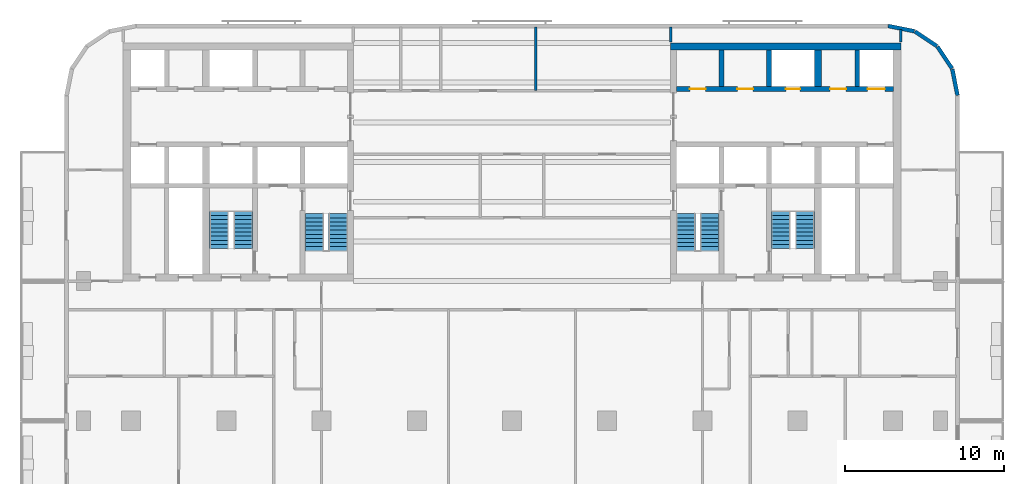
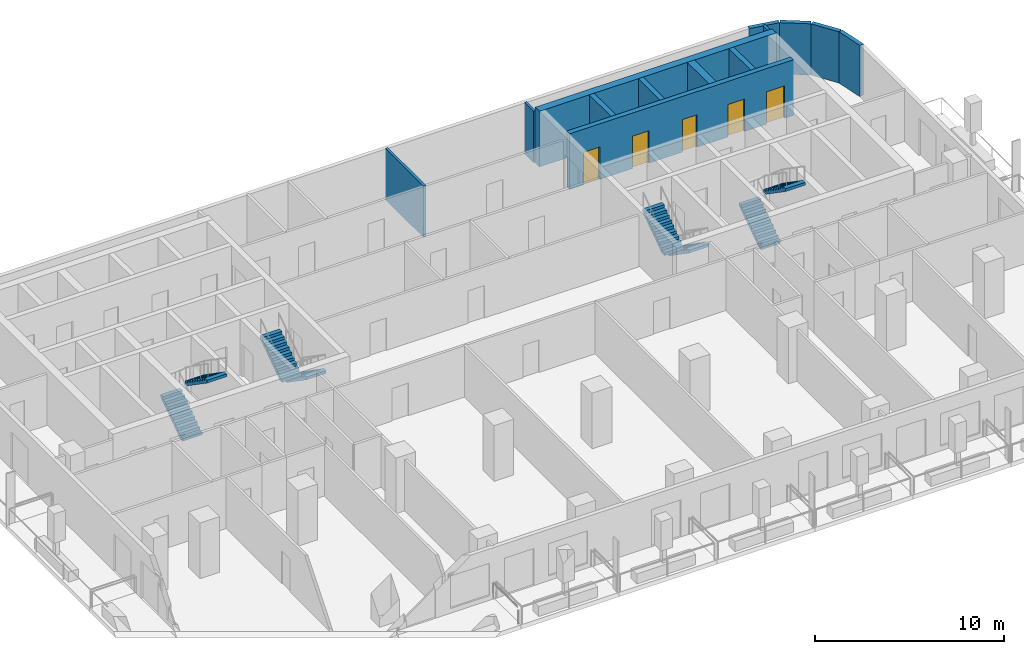
# One storey, part 7 of 11: 13 walls, 8 stair flights, 5 doors, 5 openings, 4 elements without a shape of their own.
"""IFC4 building model written with IfcOpenShell, lengths in metres."""

from ifc_helpers import new_model, si_unit, direction, frame, frame_2d, origin, place, context, subcontext, project, spatial, polyline, rectangle, outline, extrude, material, layer, layer_set, type_object, element, fill, aggregate, save


model = new_model("IFC4")

# Units and contexts
model_context = context("Model", 3, precision=1e-05, world=origin(), true_north=direction((0.0, 1.0)))
body_context = subcontext(model_context, "Body", "Model", "MODEL_VIEW")
ifc_project = project(units=[si_unit("LENGTHUNIT", "METRE"), si_unit("AREAUNIT", "SQUARE_METRE"), si_unit("VOLUMEUNIT", "CUBIC_METRE"), si_unit("PLANEANGLEUNIT", "RADIAN"), si_unit("MASSUNIT", "GRAM", prefix="KILO")], contexts=[model_context])

# Site, building, storey
site_placement = place(None, origin())
site = spatial("IfcSite", under=ifc_project, at=site_placement, CompositionType="ELEMENT")
building_placement = place(site_placement, origin())
building = spatial("IfcBuilding", under=site, at=building_placement, Name="Torana Hotel and Residences", CompositionType="ELEMENT")
storey_placement = place(building_placement, frame((0.0, 0.0, 145.199951171875)))
storey = spatial("IfcBuildingStorey", under=building, at=storey_placement, Name="L37", CompositionType="ELEMENT", Elevation=145.199951171875)

# Wall, openings, doors
ifc_material_1 = material(Name="Concrete C70/85", Category="concrete")
ifc_layer_1 = layer(ifc_material_1, 0.300048828125)
ifc_layer_set_1 = layer_set([ifc_layer_1], Name="CORE WALL 300 C70/85")
wall_type_1 = type_object("IfcWallType", Name="CORE WALL 300 C70/85", PredefinedType="SHEAR", material=ifc_layer_set_1)
wall_1_placement = place(storey_placement, frame((10.35009765625, -2.89990234375, 0.0), z_axis=(0.0, 0.0, 1.0), x_axis=(1.0, 0.0, 0.0)))
wall_1 = element("IfcWall", 1, at=wall_1_placement, inside=storey, type_object=wall_type_1, Name="Core wall E row-N", PredefinedType="SHEAR", context=body_context, shape_type="SweptSolid", body=[
    extrude(rectangle(XDim=13.699951171875, YDim=0.300048828125, at=frame_2d((6.85009765625, 0.0))), origin(), (0.0, 0.0, 1.0), 3.60009765625),
])
opening_1_placement = place(wall_1_placement, frame((12.050048828125, 0.0, 0.0)))
opening_1 = element("IfcOpeningElement", 2, at=opening_1_placement, cuts=wall_1, Name="Opening LD", PredefinedType="OPENING", context=body_context, shape_type="SweptSolid", body=[
    extrude(rectangle(XDim=1.10009765625, YDim=2.10009765625, at=frame_2d((0.550048828125, 1.050048828125))), frame((0.0, 0.159912109375, 0.0), z_axis=(0.0, -1.0, 0.0), x_axis=(1.0, 0.0, 0.0)), (0.0, 0.0, 1.0), 0.320068359375),
])
opening_2_placement = place(wall_1_placement, frame((6.89990234375, 0.0, 0.0)))
opening_2 = element("IfcOpeningElement", 3, at=opening_2_placement, cuts=wall_1, Name="Opening L37-21", PredefinedType="OPENING", context=body_context, shape_type="SweptSolid", body=[
    extrude(rectangle(XDim=0.89990234375, YDim=2.10009765625, at=frame_2d((0.449951171875, 1.050048828125))), frame((0.0, 0.159912109375, 0.0), z_axis=(0.0, -1.0, 0.0), x_axis=(1.0, 0.0, 0.0)), (0.0, 0.0, 1.0), 0.320068359375),
])
opening_3_placement = place(wall_1_placement, frame((0.85009765625, 0.0, 0.0)))
opening_3 = element("IfcOpeningElement", 4, at=opening_3_placement, cuts=wall_1, Name="Opening L37-22", PredefinedType="OPENING", context=body_context, shape_type="SweptSolid", body=[
    extrude(rectangle(XDim=1.0, YDim=2.10009765625, at=frame_2d((0.5, 1.050048828125))), frame((0.0, 0.159912109375, 0.0), z_axis=(0.0, -1.0, 0.0), x_axis=(1.0, 0.0, 0.0)), (0.0, 0.0, 1.0), 0.320068359375),
])
opening_4_placement = place(wall_1_placement, frame((3.85009765625, 0.0, 0.0)))
opening_4 = element("IfcOpeningElement", 5, at=opening_4_placement, cuts=wall_1, Name="Opening L37-23", PredefinedType="OPENING", context=body_context, shape_type="SweptSolid", body=[
    extrude(rectangle(XDim=1.0, YDim=2.10009765625, at=frame_2d((0.5, 1.050048828125))), frame((0.0, 0.159912109375, 0.0), z_axis=(0.0, -1.0, 0.0), x_axis=(1.0, 0.0, 0.0)), (0.0, 0.0, 1.0), 0.320068359375),
])
opening_5_placement = place(wall_1_placement, frame((9.699951171875, 0.0, 0.0)))
opening_5 = element("IfcOpeningElement", 6, at=opening_5_placement, cuts=wall_1, Name="Opening L37-24", PredefinedType="OPENING", context=body_context, shape_type="SweptSolid", body=[
    extrude(rectangle(XDim=1.0, YDim=2.10009765625, at=frame_2d((0.5, 1.050048828125))), frame((0.0, 0.159912109375, 0.0), z_axis=(0.0, -1.0, 0.0), x_axis=(1.0, 0.0, 0.0)), (0.0, 0.0, 1.0), 0.320068359375),
])
ifc_material_2 = material(Name="Steel S235", Category="steel")
door_type_1 = type_object("IfcDoorType", Name="CORE ROOM FIRE DOOR D14 1000x2100", OperationType="SINGLE_SWING_LEFT", PredefinedType="DOOR", material=ifc_material_2)
door_1_placement = place(opening_3_placement, origin())
door_1 = element("IfcDoor", 7, at=door_1_placement, inside=storey, type_object=door_type_1, Name="N0 door L37", OperationType="SINGLE_SWING_RIGHT", OverallHeight=2.10009765625, OverallWidth=1.0, PredefinedType="DOOR", context=body_context, shape_type="SweptSolid", body=[
    extrude(rectangle(XDim=1.0, YDim=2.10009765625, at=frame_2d((0.5, 1.050048828125))), frame((0.0, 0.02490234375, 0.0), z_axis=(0.0, -1.0, 0.0), x_axis=(1.0, 0.0, 0.0)), (0.0, 0.0, 1.0), 0.050048828125),
])
fill(opening_3, door_1)
door_2_placement = place(opening_4_placement, origin())
door_2 = element("IfcDoor", 8, at=door_2_placement, inside=storey, type_object=door_type_1, Name="N1 door L37", OperationType="SINGLE_SWING_RIGHT", OverallHeight=2.10009765625, OverallWidth=1.0, PredefinedType="DOOR", context=body_context, shape_type="SweptSolid", body=[
    extrude(rectangle(XDim=1.0, YDim=2.10009765625, at=frame_2d((0.5, 1.050048828125))), frame((0.0, 0.02490234375, 0.0), z_axis=(0.0, -1.0, 0.0), x_axis=(1.0, 0.0, 0.0)), (0.0, 0.0, 1.0), 0.050048828125),
])
fill(opening_4, door_2)
door_3_placement = place(opening_5_placement, origin())
door_3 = element("IfcDoor", 9, at=door_3_placement, inside=storey, type_object=door_type_1, Name="Freed-S2 door L37", OperationType="SINGLE_SWING_RIGHT", OverallHeight=2.10009765625, OverallWidth=1.0, PredefinedType="DOOR", context=body_context, shape_type="SweptSolid", body=[
    extrude(rectangle(XDim=1.0, YDim=2.10009765625, at=frame_2d((0.5, 1.050048828125))), frame((0.0, 0.02490234375, 0.0), z_axis=(0.0, -1.0, 0.0), x_axis=(1.0, 0.0, 0.0)), (0.0, 0.0, 1.0), 0.050048828125),
])
fill(opening_5, door_3)
ifc_material_3 = material(Name="Stainless steel 316", Category="steel")
door_type_2 = type_object("IfcDoorType", Name="LIFT LANDING DOOR LD 1100x2100", OperationType="DOUBLE_DOOR_SLIDING", PredefinedType="USERDEFINED", material=ifc_material_3)
door_4_placement = place(opening_1_placement, origin())
door_4 = element("IfcDoor", 10, at=door_4_placement, inside=storey, type_object=door_type_2, Name="Lift landing door M3 L37", ObjectType="LIFT LANDING DOOR", OperationType="DOUBLE_DOOR_SLIDING", OverallHeight=2.10009765625, OverallWidth=1.10009765625, PredefinedType="USERDEFINED", context=body_context, shape_type="SweptSolid", body=[
    extrude(rectangle(XDim=1.10009765625, YDim=2.10009765625, at=frame_2d((0.550048828125, 1.050048828125))), frame((0.0, 0.02490234375, 0.0), z_axis=(0.0, -1.0, 0.0), x_axis=(1.0, 0.0, 0.0)), (0.0, 0.0, 1.0), 0.050048828125),
])
fill(opening_1, door_4)
ifc_material_4 = material(Name="Steel S235", Category="steel")
door_type_3 = type_object("IfcDoorType", Name="RISER ACCESS DOOR D5 900x2100", OperationType="SINGLE_SWING_LEFT", PredefinedType="DOOR", material=ifc_material_4)
door_5_placement = place(opening_2_placement, origin())
door_5 = element("IfcDoor", 11, at=door_5_placement, inside=storey, type_object=door_type_3, Name="N2 door L37", OperationType="SINGLE_SWING_RIGHT", OverallHeight=2.10009765625, OverallWidth=0.89990234375, PredefinedType="DOOR", context=body_context, shape_type="SweptSolid", body=[
    extrude(rectangle(XDim=0.89990234375, YDim=2.10009765625, at=frame_2d((0.449951171875, 1.050048828125))), frame((0.0, 0.02490234375, 0.0), z_axis=(0.0, -1.0, 0.0), x_axis=(1.0, 0.0, 0.0)), (0.0, 0.0, 1.0), 0.050048828125),
])
fill(opening_2, door_5)

# Walls
for number, where, z_axis, x_axis, name in (
    (12, (13.199951171875, -2.75, 0.0), (0.0, 0.0, 1.0), (0.0, 1.0, 0.0), "Core wall E x3.05-N"),
    (13, (16.199951171875, -2.75, 0.0), (0.0, 0.0, 1.0), (0.0, 1.0, 0.0), "Core wall E x6.05-N"),
    (14, (21.75, -2.75, 0.0), (0.0, 0.0, 1.0), (0.0, 1.0, 0.0), "Core wall E mm-N"),
):
    element("IfcWall", number, at=place(storey_placement, frame(where, z_axis=z_axis, x_axis=x_axis)), inside=storey, type_object=wall_type_1, Name=name, PredefinedType="SHEAR", context=body_context, shape_type="SweptSolid", body=[
        extrude(rectangle(XDim=2.300048828125, YDim=0.300048828125, at=frame_2d((1.14990234375, 0.0))), origin(), (0.0, 0.0, 1.0), 3.60009765625),
    ])
ifc_material_5 = material(Name="Concrete C70/85", Category="concrete")
ifc_layer_2 = layer(ifc_material_5, 0.449951171875)
ifc_layer_set_2 = layer_set([ifc_layer_2], Name="CORE WALL 450 C70/85")
wall_type_2 = type_object("IfcWallType", Name="CORE WALL 450 C70/85", PredefinedType="SHEAR", material=ifc_layer_set_2)
wall_2_placement = place(storey_placement, frame((10.0, -0.22509765625, 0.0), z_axis=(0.0, 0.0, 1.0), x_axis=(1.0, 0.0, 0.0)))
element("IfcWall", 15, at=wall_2_placement, inside=storey, type_object=wall_type_2, Name="Core wall E rear", PredefinedType="SHEAR", context=body_context, shape_type="SweptSolid", body=[
    extrude(rectangle(XDim=14.5, YDim=0.449951171875, at=frame_2d((7.25, 0.0))), origin(), (0.0, 0.0, 1.0), 3.60009765625),
])
wall_3_placement = place(storey_placement, frame((19.27490234375, -2.75, 0.0), z_axis=(0.0, 0.0, 1.0), x_axis=(0.0, 1.0, 0.0)))
element("IfcWall", 16, at=wall_3_placement, inside=storey, type_object=wall_type_2, Name="Core wall E hm-N", PredefinedType="SHEAR", context=body_context, shape_type="SweptSolid", body=[
    extrude(rectangle(XDim=2.300048828125, YDim=0.449951171875, at=frame_2d((1.14990234375, 0.0))), origin(), (0.0, 0.0, 1.0), 3.60009765625),
])
ifc_material_6 = material(Name="Black aluminium composite panel", Category="aluminium")
ifc_layer_3 = layer(ifc_material_6, 0.00390625, Name="Cladding", Category="cladding")
ifc_material_7 = material(Name="Ventilated air cavity")
ifc_layer_4 = layer(ifc_material_7, 0.0400390625, Name="Ventilated cavity", Category="cavity")
ifc_material_8 = material(Name="Mineral wool insulation")
ifc_layer_5 = layer(ifc_material_8, 0.090087890625, Name="Insulation", Category="insulation")
ifc_material_9 = material(Name="Steel S280GD", Category="steel")
ifc_layer_6 = layer(ifc_material_9, 0.092041015625, Name="Steel stud frame", Category="structure")
ifc_material_10 = material(Name="Fire rated plasterboard")
ifc_layer_7 = layer(ifc_material_10, 0.011962890625, Name="Inner board", Category="finish")
ifc_layer_8 = layer(ifc_material_10, 0.011962890625, Name="Second board", Category="finish")
ifc_layer_set_3 = layer_set([ifc_layer_3, ifc_layer_4, ifc_layer_5, ifc_layer_6, ifc_layer_7, ifc_layer_8], Name="EW1 EXTERNAL WALL BLACK METAL CLAD 250")
wall_type_3 = type_object("IfcWallType", Name="EW1 EXTERNAL WALL BLACK METAL CLAD 250", PredefinedType="SOLIDWALL", material=ifc_layer_set_3)
wall_4_placement = place(storey_placement, frame((28.072509765625, -3.30029296875, 0.0), z_axis=(0.0, 0.0, 1.0), x_axis=(-0.194999110559, 0.980803419081, 0.0)))
element("IfcWall", 17, at=wall_4_placement, inside=storey, type_object=wall_type_3, Name="External wall L37 e0.0", PredefinedType="SOLIDWALL", context=body_context, shape_type="SweptSolid", body=[
    extrude(rectangle(XDim=1.681396484375, YDim=0.25, at=frame_2d((0.8408203125, 0.0))), origin(), (0.0, 0.0, 1.0), 3.320068359375),
])
for number, where, z_axis, x_axis, name in (
    (18, (27.725830078125, -1.60595703125, 0.0), (0.0, 0.0, 1.0), (-0.55555029066, 0.831482937015, 0.0), "External wall L37 e0.1"),
    (19, (26.771240234375, -0.1943359375, 0.0), (0.0, 0.0, 1.0), (-0.831482937015, 0.55555029066, 0.0), "External wall L37 e0.2"),
):
    element("IfcWall", number, at=place(storey_placement, frame(where, z_axis=z_axis, x_axis=x_axis)), inside=storey, type_object=wall_type_3, Name=name, PredefinedType="SOLIDWALL", context=body_context, shape_type="SweptSolid", body=[
        extrude(rectangle(XDim=1.65625, YDim=0.25, at=frame_2d((0.828125, 0.0))), origin(), (0.0, 0.0, 1.0), 3.320068359375),
    ])
wall_5_placement = place(storey_placement, frame((25.348876953125, 0.74462890625, 0.0), z_axis=(0.0, 0.0, 1.0), x_axis=(-0.980803419081, 0.194999110559, 0.0)))
element("IfcWall", 20, at=wall_5_placement, inside=storey, type_object=wall_type_3, Name="External wall L37 e0.3", PredefinedType="SOLIDWALL", context=body_context, shape_type="SweptSolid", body=[
    extrude(rectangle(XDim=1.681396484375, YDim=0.25, at=frame_2d((0.8408203125, 0.0))), origin(), (0.0, 0.0, 1.0), 3.320068359375),
])
ifc_material_11 = material(Name="Gypsum plasterboard")
ifc_layer_9 = layer(ifc_material_11, 0.012451171875, Name="Plasterboard", Category="finish")
ifc_layer_10 = layer(ifc_material_11, 0.012451171875, Name="Plasterboard", Category="finish")
ifc_layer_11 = layer(ifc_material_9, 0.10009765625, Name="Steel studs with mineral wool", Category="insulation")
ifc_layer_12 = layer(ifc_material_11, 0.012451171875, Name="Plasterboard", Category="finish")
ifc_layer_13 = layer(ifc_material_11, 0.012451171875, Name="Plasterboard", Category="finish")
ifc_layer_set_4 = layer_set([ifc_layer_9, ifc_layer_10, ifc_layer_11, ifc_layer_12, ifc_layer_13], Name="PARTITION 150 PLASTERBOARD")
wall_type_4 = type_object("IfcWallType", Name="PARTITION 150 PLASTERBOARD", PredefinedType="PARTITIONING", material=ifc_layer_set_4)
wall_6_placement = place(storey_placement, frame((24.5, 0.050048828125, 0.0), z_axis=(0.0, 0.0, 1.0), x_axis=(0.0, 1.0, 0.0)))
element("IfcWall", 21, at=wall_6_placement, inside=storey, type_object=wall_type_4, Name="Partition L37", PredefinedType="PARTITIONING", context=body_context, shape_type="SweptSolid", body=[
    extrude(rectangle(XDim=0.807373046875, YDim=0.14990234375, at=frame_2d((0.40380859375, 0.0))), origin(), (0.0, 0.0, 1.0), 3.320068359375),
])
wall_7_placement = place(storey_placement, frame((10.0, 0.050048828125, 0.0), z_axis=(0.0, 0.0, 1.0), x_axis=(0.0, 1.0, 0.0)))
element("IfcWall", 22, at=wall_7_placement, inside=storey, type_object=wall_type_4, Name="Partition L37", PredefinedType="PARTITIONING", context=body_context, shape_type="SweptSolid", body=[
    extrude(rectangle(XDim=0.969970703125, YDim=0.14990234375, at=frame_2d((0.48486328125, 0.0))), origin(), (0.0, 0.0, 1.0), 3.320068359375),
])
wall_8_placement = place(storey_placement, frame((1.5, -3.0, 0.0), z_axis=(0.0, 0.0, 1.0), x_axis=(0.0, 1.0, 0.0)))
element("IfcWall", 23, at=wall_8_placement, inside=storey, type_object=wall_type_4, Name="Partition L37", PredefinedType="PARTITIONING", context=body_context, shape_type="SweptSolid", body=[
    extrude(rectangle(XDim=4.02001953125, YDim=0.14990234375, at=frame_2d((2.010009765625, 0.0))), origin(), (0.0, 0.0, 1.0), 3.320068359375),
])

# Stair, stair flights
ifc_material_12 = material(Name="Concrete C40/50 precast", Category="concrete")
stair_type_1 = type_object("IfcStairType", Name="STAIR ST1 HALF TURN 1200", PredefinedType="HALF_TURN_STAIR", material=ifc_material_12)
stair_1_placement = place(storey_placement, origin())
stair_1 = element("IfcStair", 24, at=stair_1_placement, inside=storey, type_object=stair_type_1, Name="Stair ST1 L37", PredefinedType="HALF_TURN_STAIR")
ifc_material_13 = material(Name="Concrete C40/50 precast", Category="concrete")
stair_flight_type = type_object("IfcStairFlightType", Name="STAIR FLIGHT 1200 PRECAST", PredefinedType="STRAIGHT", material=ifc_material_13)
stair_flight_1_placement = place(storey_placement, frame((-10.949951171875, -10.75, 0.0), z_axis=(0.0, 0.0, 1.0), x_axis=(0.0, -1.0, 0.0)))
stair_flight_1 = element("IfcStairFlight", 25, at=stair_flight_1_placement, type_object=stair_flight_type, Name="ST1 flight 1", NumberOfRisers=10, NumberOfTreads=9, PredefinedType="STRAIGHT", RiserHeight=0.18, TreadLength=0.26, context=body_context, shape_type="SweptSolid", body=[
    extrude(outline(polyline([(0.0, 0.0), (0.0, 0.179931640625), (0.260009765625, 0.179931640625), (0.260009765625, 0.360107421875), (0.52001953125, 0.360107421875), (0.52001953125, 0.5400390625), (0.780029296875, 0.5400390625), (0.780029296875, 0.719970703125), (1.0400390625, 0.719970703125), (1.0400390625, 0.89990234375), (1.300048828125, 0.89990234375), (1.300048828125, 1.080078125), (1.56005859375, 1.080078125), (1.56005859375, 1.260009765625), (1.820068359375, 1.260009765625), (1.820068359375, 1.43994140625), (2.080078125, 1.43994140625), (2.080078125, 1.6201171875), (2.340087890625, 1.6201171875), (2.340087890625, 1.800048828125), (2.340087890625, 1.437744140625), (0.263427734375, 0.0), (0.0, 0.0)])), frame((0.0, 0.60009765625, 0.0), z_axis=(0.0, -1.0, 0.0), x_axis=(1.0, 0.0, 0.0)), (0.0, 0.0, 1.0), 1.199951171875),
])
stair_flight_2_placement = place(storey_placement, frame((-12.449951171875, -13.090087890625, 1.800048828125), z_axis=(0.0, 0.0, 1.0), x_axis=(0.0, 1.0, 0.0)))
stair_flight_2 = element("IfcStairFlight", 26, at=stair_flight_2_placement, type_object=stair_flight_type, Name="ST1 flight 2", NumberOfRisers=10, NumberOfTreads=9, PredefinedType="STRAIGHT", RiserHeight=0.18, TreadLength=0.26, context=body_context, shape_type="SweptSolid", body=[
    extrude(outline(polyline([(0.0, 0.0), (0.0, 0.179931640625), (0.260009765625, 0.179931640625), (0.260009765625, 0.360107421875), (0.52001953125, 0.360107421875), (0.52001953125, 0.5400390625), (0.780029296875, 0.5400390625), (0.780029296875, 0.719970703125), (1.0400390625, 0.719970703125), (1.0400390625, 0.89990234375), (1.300048828125, 0.89990234375), (1.300048828125, 1.080078125), (1.56005859375, 1.080078125), (1.56005859375, 1.260009765625), (1.820068359375, 1.260009765625), (1.820068359375, 1.43994140625), (2.080078125, 1.43994140625), (2.080078125, 1.6201171875), (2.340087890625, 1.6201171875), (2.340087890625, 1.800048828125), (2.340087890625, 1.437744140625), (0.263427734375, 0.0), (0.0, 0.0)])), frame((0.0, 0.60009765625, 0.0), z_axis=(0.0, -1.0, 0.0), x_axis=(1.0, 0.0, 0.0)), (0.0, 0.0, 1.0), 1.199951171875),
])
aggregate(stair_1, [stair_flight_1, stair_flight_2])

ifc_material_14 = material(Name="Concrete C40/50 precast", Category="concrete")
stair_type_2 = type_object("IfcStairType", Name="STAIR ST2 HALF TURN 1200", PredefinedType="HALF_TURN_STAIR", material=ifc_material_14)
stair_2_placement = place(storey_placement, origin())
stair_2 = element("IfcStair", 27, at=stair_2_placement, inside=storey, type_object=stair_type_2, Name="Stair ST2 L37", PredefinedType="HALF_TURN_STAIR")
stair_flight_3_placement = place(storey_placement, frame((-18.449951171875, -12.949951171875, 0.0), z_axis=(0.0, 0.0, 1.0), x_axis=(0.0, 1.0, 0.0)))
stair_flight_3 = element("IfcStairFlight", 28, at=stair_flight_3_placement, type_object=stair_flight_type, Name="ST2 flight 1", NumberOfRisers=10, NumberOfTreads=9, PredefinedType="STRAIGHT", RiserHeight=0.18, TreadLength=0.26, context=body_context, shape_type="SweptSolid", body=[
    extrude(outline(polyline([(0.0, 0.0), (0.0, 0.179931640625), (0.260009765625, 0.179931640625), (0.260009765625, 0.360107421875), (0.52001953125, 0.360107421875), (0.52001953125, 0.5400390625), (0.780029296875, 0.5400390625), (0.780029296875, 0.719970703125), (1.0400390625, 0.719970703125), (1.0400390625, 0.89990234375), (1.300048828125, 0.89990234375), (1.300048828125, 1.080078125), (1.56005859375, 1.080078125), (1.56005859375, 1.260009765625), (1.820068359375, 1.260009765625), (1.820068359375, 1.43994140625), (2.080078125, 1.43994140625), (2.080078125, 1.6201171875), (2.340087890625, 1.6201171875), (2.340087890625, 1.800048828125), (2.340087890625, 1.437744140625), (0.263427734375, 0.0), (0.0, 0.0)])), frame((0.0, 0.60009765625, 0.0), z_axis=(0.0, -1.0, 0.0), x_axis=(1.0, 0.0, 0.0)), (0.0, 0.0, 1.0), 1.199951171875),
])
stair_flight_4_placement = place(storey_placement, frame((-16.949951171875, -10.610107421875, 1.800048828125), z_axis=(0.0, 0.0, 1.0), x_axis=(0.0, -1.0, 0.0)))
stair_flight_4 = element("IfcStairFlight", 29, at=stair_flight_4_placement, type_object=stair_flight_type, Name="ST2 flight 2", NumberOfRisers=10, NumberOfTreads=9, PredefinedType="STRAIGHT", RiserHeight=0.18, TreadLength=0.26, context=body_context, shape_type="SweptSolid", body=[
    extrude(outline(polyline([(0.0, 0.0), (0.0, 0.179931640625), (0.260009765625, 0.179931640625), (0.260009765625, 0.360107421875), (0.52001953125, 0.360107421875), (0.52001953125, 0.5400390625), (0.780029296875, 0.5400390625), (0.780029296875, 0.719970703125), (1.0400390625, 0.719970703125), (1.0400390625, 0.89990234375), (1.300048828125, 0.89990234375), (1.300048828125, 1.080078125), (1.56005859375, 1.080078125), (1.56005859375, 1.260009765625), (1.820068359375, 1.260009765625), (1.820068359375, 1.43994140625), (2.080078125, 1.43994140625), (2.080078125, 1.6201171875), (2.340087890625, 1.6201171875), (2.340087890625, 1.800048828125), (2.340087890625, 1.437744140625), (0.263427734375, 0.0), (0.0, 0.0)])), frame((0.0, 0.60009765625, 0.0), z_axis=(0.0, -1.0, 0.0), x_axis=(1.0, 0.0, 0.0)), (0.0, 0.0, 1.0), 1.199951171875),
])
aggregate(stair_2, [stair_flight_3, stair_flight_4])

ifc_material_15 = material(Name="Concrete C40/50 precast", Category="concrete")
stair_type_3 = type_object("IfcStairType", Name="STAIR ST3 HALF TURN 1200", PredefinedType="HALF_TURN_STAIR", material=ifc_material_15)
stair_3_placement = place(storey_placement, origin())
stair_3 = element("IfcStair", 30, at=stair_3_placement, inside=storey, type_object=stair_type_3, Name="Stair ST3 L37", PredefinedType="HALF_TURN_STAIR")
stair_flight_5_placement = place(storey_placement, frame((12.449951171875, -10.75, 0.0), z_axis=(0.0, 0.0, 1.0), x_axis=(0.0, -1.0, 0.0)))
stair_flight_5 = element("IfcStairFlight", 31, at=stair_flight_5_placement, type_object=stair_flight_type, Name="ST3 flight 1", NumberOfRisers=10, NumberOfTreads=9, PredefinedType="STRAIGHT", RiserHeight=0.18, TreadLength=0.26, context=body_context, shape_type="SweptSolid", body=[
    extrude(outline(polyline([(0.0, 0.0), (0.0, 0.179931640625), (0.260009765625, 0.179931640625), (0.260009765625, 0.360107421875), (0.52001953125, 0.360107421875), (0.52001953125, 0.5400390625), (0.780029296875, 0.5400390625), (0.780029296875, 0.719970703125), (1.0400390625, 0.719970703125), (1.0400390625, 0.89990234375), (1.300048828125, 0.89990234375), (1.300048828125, 1.080078125), (1.56005859375, 1.080078125), (1.56005859375, 1.260009765625), (1.820068359375, 1.260009765625), (1.820068359375, 1.43994140625), (2.080078125, 1.43994140625), (2.080078125, 1.6201171875), (2.340087890625, 1.6201171875), (2.340087890625, 1.800048828125), (2.340087890625, 1.437744140625), (0.263427734375, 0.0), (0.0, 0.0)])), frame((0.0, 0.60009765625, 0.0), z_axis=(0.0, -1.0, 0.0), x_axis=(1.0, 0.0, 0.0)), (0.0, 0.0, 1.0), 1.199951171875),
])
stair_flight_6_placement = place(storey_placement, frame((10.949951171875, -13.090087890625, 1.800048828125), z_axis=(0.0, 0.0, 1.0), x_axis=(0.0, 1.0, 0.0)))
stair_flight_6 = element("IfcStairFlight", 32, at=stair_flight_6_placement, type_object=stair_flight_type, Name="ST3 flight 2", NumberOfRisers=10, NumberOfTreads=9, PredefinedType="STRAIGHT", RiserHeight=0.18, TreadLength=0.26, context=body_context, shape_type="SweptSolid", body=[
    extrude(outline(polyline([(0.0, 0.0), (0.0, 0.179931640625), (0.260009765625, 0.179931640625), (0.260009765625, 0.360107421875), (0.52001953125, 0.360107421875), (0.52001953125, 0.5400390625), (0.780029296875, 0.5400390625), (0.780029296875, 0.719970703125), (1.0400390625, 0.719970703125), (1.0400390625, 0.89990234375), (1.300048828125, 0.89990234375), (1.300048828125, 1.080078125), (1.56005859375, 1.080078125), (1.56005859375, 1.260009765625), (1.820068359375, 1.260009765625), (1.820068359375, 1.43994140625), (2.080078125, 1.43994140625), (2.080078125, 1.6201171875), (2.340087890625, 1.6201171875), (2.340087890625, 1.800048828125), (2.340087890625, 1.437744140625), (0.263427734375, 0.0), (0.0, 0.0)])), frame((0.0, 0.60009765625, 0.0), z_axis=(0.0, -1.0, 0.0), x_axis=(1.0, 0.0, 0.0)), (0.0, 0.0, 1.0), 1.199951171875),
])
aggregate(stair_3, [stair_flight_5, stair_flight_6])

ifc_material_16 = material(Name="Concrete C40/50 precast", Category="concrete")
stair_type_4 = type_object("IfcStairType", Name="STAIR ST4 HALF TURN 1200", PredefinedType="HALF_TURN_STAIR", material=ifc_material_16)
stair_4_placement = place(storey_placement, origin())
stair_4 = element("IfcStair", 33, at=stair_4_placement, inside=storey, type_object=stair_type_4, Name="Stair ST4 L37", PredefinedType="HALF_TURN_STAIR")
stair_flight_7_placement = place(storey_placement, frame((16.949951171875, -12.949951171875, 0.0), z_axis=(0.0, 0.0, 1.0), x_axis=(0.0, 1.0, 0.0)))
stair_flight_7 = element("IfcStairFlight", 34, at=stair_flight_7_placement, type_object=stair_flight_type, Name="ST4 flight 1", NumberOfRisers=10, NumberOfTreads=9, PredefinedType="STRAIGHT", RiserHeight=0.18, TreadLength=0.26, context=body_context, shape_type="SweptSolid", body=[
    extrude(outline(polyline([(0.0, 0.0), (0.0, 0.179931640625), (0.260009765625, 0.179931640625), (0.260009765625, 0.360107421875), (0.52001953125, 0.360107421875), (0.52001953125, 0.5400390625), (0.780029296875, 0.5400390625), (0.780029296875, 0.719970703125), (1.0400390625, 0.719970703125), (1.0400390625, 0.89990234375), (1.300048828125, 0.89990234375), (1.300048828125, 1.080078125), (1.56005859375, 1.080078125), (1.56005859375, 1.260009765625), (1.820068359375, 1.260009765625), (1.820068359375, 1.43994140625), (2.080078125, 1.43994140625), (2.080078125, 1.6201171875), (2.340087890625, 1.6201171875), (2.340087890625, 1.800048828125), (2.340087890625, 1.437744140625), (0.263427734375, 0.0), (0.0, 0.0)])), frame((0.0, 0.60009765625, 0.0), z_axis=(0.0, -1.0, 0.0), x_axis=(1.0, 0.0, 0.0)), (0.0, 0.0, 1.0), 1.199951171875),
])
stair_flight_8_placement = place(storey_placement, frame((18.449951171875, -10.610107421875, 1.800048828125), z_axis=(0.0, 0.0, 1.0), x_axis=(0.0, -1.0, 0.0)))
stair_flight_8 = element("IfcStairFlight", 35, at=stair_flight_8_placement, type_object=stair_flight_type, Name="ST4 flight 2", NumberOfRisers=10, NumberOfTreads=9, PredefinedType="STRAIGHT", RiserHeight=0.18, TreadLength=0.26, context=body_context, shape_type="SweptSolid", body=[
    extrude(outline(polyline([(0.0, 0.0), (0.0, 0.179931640625), (0.260009765625, 0.179931640625), (0.260009765625, 0.360107421875), (0.52001953125, 0.360107421875), (0.52001953125, 0.5400390625), (0.780029296875, 0.5400390625), (0.780029296875, 0.719970703125), (1.0400390625, 0.719970703125), (1.0400390625, 0.89990234375), (1.300048828125, 0.89990234375), (1.300048828125, 1.080078125), (1.56005859375, 1.080078125), (1.56005859375, 1.260009765625), (1.820068359375, 1.260009765625), (1.820068359375, 1.43994140625), (2.080078125, 1.43994140625), (2.080078125, 1.6201171875), (2.340087890625, 1.6201171875), (2.340087890625, 1.800048828125), (2.340087890625, 1.437744140625), (0.263427734375, 0.0), (0.0, 0.0)])), frame((0.0, 0.60009765625, 0.0), z_axis=(0.0, -1.0, 0.0), x_axis=(1.0, 0.0, 0.0)), (0.0, 0.0, 1.0), 1.199951171875),
])
aggregate(stair_4, [stair_flight_7, stair_flight_8])

save(model, "model.ifc")
